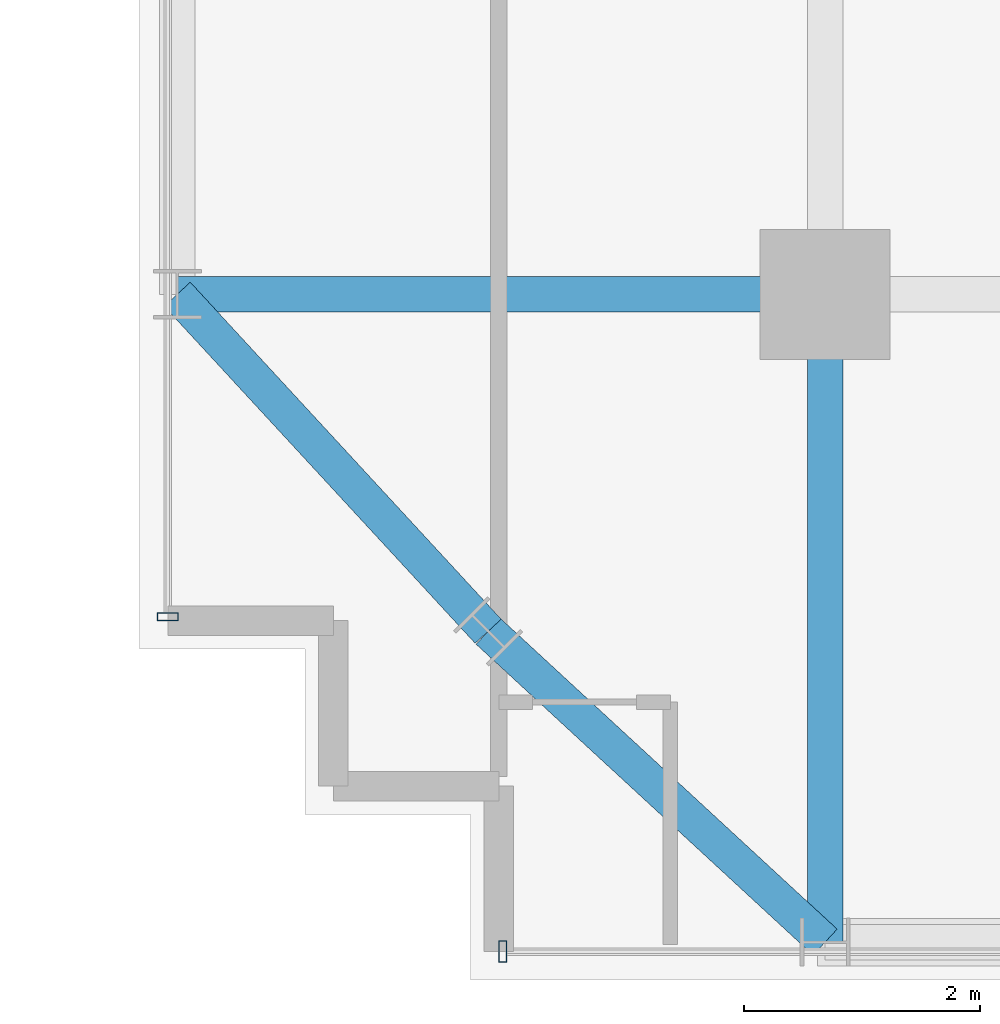
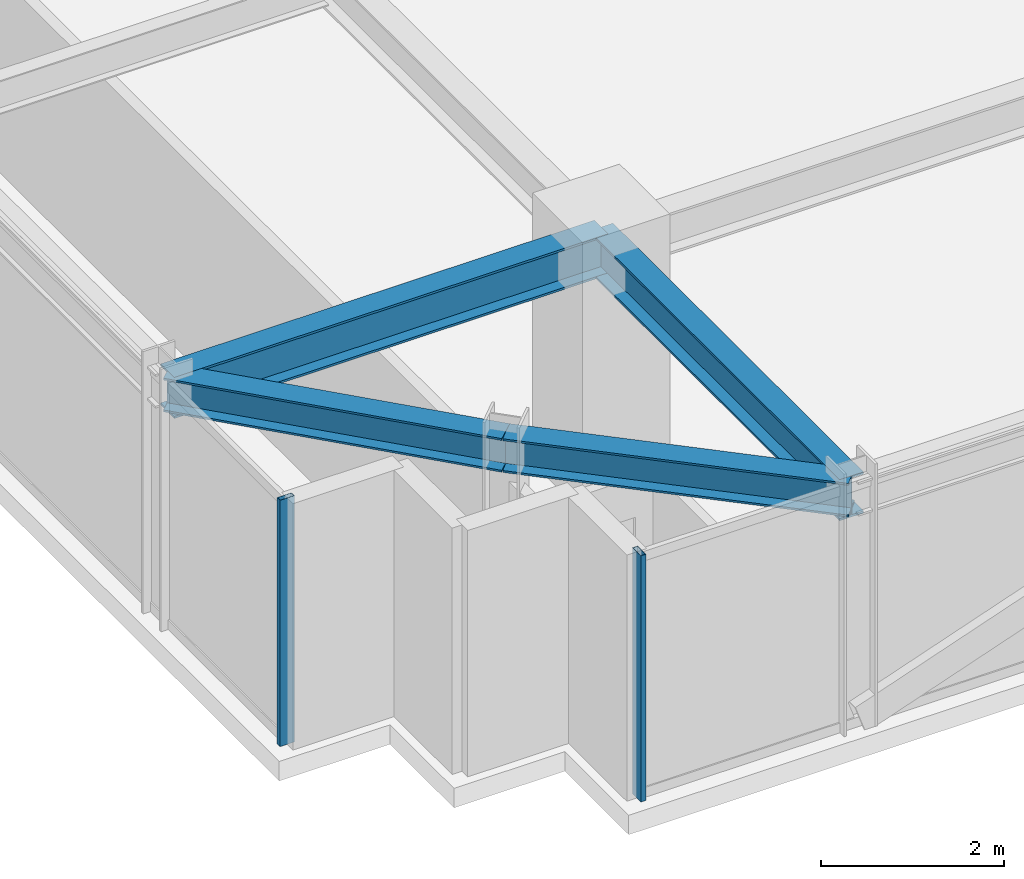
# One storey, part 2 of 32: 4 beams, 2 members, 2 elements without a shape of their own.
"""IFC4 building model written with IfcOpenShell, lengths in metres."""

import ifcopenshell
import ifcopenshell.guid

model = None  # the IFC model being written
_history = None  # IfcOwnerHistory: only IFC2X3 demands one
_inside = {}  # id of a spatial element -> (the spatial element, [elements in it])
_under = {}  # id of a project, library or spatial element -> (it, [spatial elements below it])
_declared = {}  # id of a project -> (the project, [libraries it declares])
_typed = {}  # id of a type object -> (the type object, [elements of that type])
_made_of = {}  # id of a material, layer set ... -> (it, [elements and type objects made of it])


def new_model(schema):
    """Start an empty IFC model of exactly this schema.

    Asked for "IFC4X3", IfcOpenShell would pick the latest addendum, in which some entities
    have other attributes; the version numbers below select the first issue.
    IFC2X3 requires an IfcOwnerHistory on every rooted entity: one is made here for all.
    """
    global model, _history
    if schema == "IFC4X3":
        model = ifcopenshell.file(schema_version=(4, 3, 0, 0))
    else:
        model = ifcopenshell.file(schema=schema)
    _inside.clear()
    _under.clear()
    _declared.clear()
    _typed.clear()
    _made_of.clear()
    _history = None
    if model.schema == "IFC2X3":
        org = make("IfcOrganization", Name="unknown")
        user = make(
            "IfcPersonAndOrganization",
            ThePerson=make("IfcPerson", FamilyName="unknown"),
            TheOrganization=org,
        )
        app = make(
            "IfcApplication",
            ApplicationDeveloper=org,
            Version="unknown",
            ApplicationFullName="unknown",
            ApplicationIdentifier="unknown",
        )
        _history = make(
            "IfcOwnerHistory",
            OwningUser=user,
            OwningApplication=app,
            ChangeAction="ADDED",
            CreationDate=0,
        )
    return model


def make(cls, **values):
    """One entity of the class cls with the attributes given. An attribute that is None is left unset."""
    return model.create_entity(
        cls, **{name: value for name, value in values.items() if value is not None}
    )


def rooted(cls, **values):
    """An entity with a GlobalId (a new one), such as an element, a storey or a relation."""
    return make(cls, GlobalId=ifcopenshell.guid.new(), OwnerHistory=_history, **values)


def si_unit(unit_type, name, prefix=None):
    """IfcSIUnit, for example si_unit("LENGTHUNIT", "METRE", prefix="MILLI")."""
    return make("IfcSIUnit", UnitType=unit_type, Prefix=prefix, Name=name)


def assignment(units):
    """IfcUnitAssignment: the units of a project."""
    return None if units is None else make("IfcUnitAssignment", Units=units)


def point(xyz):
    """IfcCartesianPoint."""
    return None if xyz is None else make("IfcCartesianPoint", Coordinates=xyz)


def direction(xyz):
    """IfcDirection."""
    return None if xyz is None else make("IfcDirection", DirectionRatios=xyz)


def frame(location, z_axis=None, x_axis=None):
    """IfcAxis2Placement3D, a coordinate frame: its origin and axes. An axis left out is left unset."""
    return make(
        "IfcAxis2Placement3D",
        Location=point(location),
        Axis=direction(z_axis),
        RefDirection=direction(x_axis),
    )


def frame_2d(location, x_axis=None):
    """IfcAxis2Placement2D, a coordinate frame in the plane: its origin and x axis."""
    return make(
        "IfcAxis2Placement2D", Location=point(location), RefDirection=direction(x_axis)
    )


def origin():
    """The frame at (0, 0, 0) with its axes left unset."""
    return frame((0.0, 0.0, 0.0))


def origin_2d():
    """The frame at (0, 0) in the plane with its x axis left unset."""
    return frame_2d((0.0, 0.0))


def place(relative_to, where):
    """IfcLocalPlacement: puts the frame where relative to a parent placement (None: the world)."""
    return make(
        "IfcLocalPlacement", PlacementRelTo=relative_to, RelativePlacement=where
    )


def context(
    kind, dimensions, precision=None, world=None, true_north=None, identifier=None
):
    """IfcGeometricRepresentationContext, for example the 3D "Model" context."""
    return make(
        "IfcGeometricRepresentationContext",
        ContextIdentifier=identifier,
        ContextType=kind,
        CoordinateSpaceDimension=dimensions,
        Precision=precision,
        WorldCoordinateSystem=world,
        TrueNorth=true_north,
    )


def subcontext(parent, identifier, kind, view, scale=None):
    """IfcGeometricRepresentationSubContext, for example "Body" below "Model"."""
    return make(
        "IfcGeometricRepresentationSubContext",
        ContextIdentifier=identifier,
        ContextType=kind,
        ParentContext=parent,
        TargetScale=scale,
        TargetView=view,
    )


def project(units=None, contexts=None):
    """IfcProject with its units and contexts."""
    return rooted(
        "IfcProject",
        Name="project",
        RepresentationContexts=contexts,
        UnitsInContext=assignment(units),
    )


def spatial(cls, under=None, at=None, **own):
    """A site, building, storey or space (cls), placed at a placement, below another one or the project."""
    s = rooted(cls, ObjectPlacement=at, **own)
    if under is not None:
        _under.setdefault(under.id(), (under, []))[1].append(s)
    return s


def profile(cls, at=None, kind="AREA", **sizes):
    """A parametric profile (cls). Its sizes go by their IFC names, for example OverallWidth=200.0."""
    return make(cls, ProfileType=kind, Position=at, **sizes)


def hollow_rectangle(**sizes):
    """IfcRectangleHollowProfileDef."""
    return profile("IfcRectangleHollowProfileDef", **sizes)


def i_section(**sizes):
    """IfcIShapeProfileDef."""
    return profile("IfcIShapeProfileDef", **sizes)


def extrude(swept, where, along, depth):
    """IfcExtrudedAreaSolid: the profile swept, set in the frame where, extruded along a direction by depth."""
    return make(
        "IfcExtrudedAreaSolid",
        SweptArea=swept,
        Position=where,
        ExtrudedDirection=direction(along),
        Depth=depth,
    )


def shape(context_of_items, identifier, shape_type, items):
    """IfcShapeRepresentation: the items that make up one representation, for example the "Body"."""
    return make(
        "IfcShapeRepresentation",
        ContextOfItems=context_of_items,
        RepresentationIdentifier=identifier,
        RepresentationType=shape_type,
        Items=items,
    )


def source(mapping_origin, context_of_items, identifier, shape_type, items):
    """IfcRepresentationMap: a shape defined once, which mapped items show again and again."""
    return make(
        "IfcRepresentationMap",
        MappingOrigin=mapping_origin,
        MappedRepresentation=shape(context_of_items, identifier, shape_type, items),
    )


def transform(
    local_origin,
    x_axis=None,
    y_axis=None,
    z_axis=None,
    scale=None,
    scale2=None,
    scale3=None,
    uniform=True,
):
    """IfcCartesianTransformationOperator3D, or its non-uniform kind. x_axis, y_axis, z_axis: its Axis1, 2, 3."""
    if uniform:
        return make(
            "IfcCartesianTransformationOperator3D",
            Axis1=direction(x_axis),
            Axis2=direction(y_axis),
            LocalOrigin=point(local_origin),
            Scale=scale,
            Axis3=direction(z_axis),
        )
    return make(
        "IfcCartesianTransformationOperator3DnonUniform",
        Axis1=direction(x_axis),
        Axis2=direction(y_axis),
        LocalOrigin=point(local_origin),
        Scale=scale,
        Axis3=direction(z_axis),
        Scale2=scale2,
        Scale3=scale3,
    )


def mapped(mapping_source, mapping_target):
    """IfcMappedItem: shows the shape of a source again, moved by a transform."""
    return make(
        "IfcMappedItem", MappingSource=mapping_source, MappingTarget=mapping_target
    )


def material(Name=None, Category=None):
    """IfcMaterial."""
    return make("IfcMaterial", Name=Name, Category=Category)


def material_profile(
    of_material, cross_section, Name=None, Category=None, Priority=None
):
    """IfcMaterialProfile: a cross section and its material."""
    return make(
        "IfcMaterialProfile",
        Name=Name,
        Material=of_material,
        Profile=cross_section,
        Priority=Priority,
        Category=Category,
    )


def profile_set(profiles, Name=None, composite=None):
    """IfcMaterialProfileSet."""
    return make(
        "IfcMaterialProfileSet",
        Name=Name,
        MaterialProfiles=profiles,
        CompositeProfile=composite,
    )


def made_of(thing, what):
    """Note that an element or type object is made of a material, layer set ...; save() writes the relation."""
    if what is not None:
        _made_of.setdefault(what.id(), (what, []))[1].append(thing)
    return thing


def type_object(cls, material=None, **own):
    """A type object (cls), such as IfcWallType, which elements share."""
    return made_of(rooted(cls, **own), material)


def element(
    cls,
    number,
    at=None,
    inside=None,
    cuts=None,
    type_object=None,
    material=None,
    context=None,
    identifier="Body",
    shape_type=None,
    held_by="IfcProductDefinitionShape",
    body=None,
    shapes=None,
    **own,
):
    """One element of the class cls, such as IfcWall. Its Tag is "e" and its number.

    at: its placement. inside: the storey or other place that contains it. cuts: it is an
    opening in that element (IfcRelVoidsElement). A single representation is given by context,
    identifier, shape_type and body (its items); several are given by shapes. held_by: the class
    of the entity that holds the representations. save() writes the other relations.
    """
    e = rooted(cls, Tag="e%d" % number, ObjectPlacement=at, **own)
    if body is not None:
        shapes = [shape(context, identifier, shape_type, body)]
    if shapes is not None:
        e.Representation = make(held_by, Representations=shapes)
    if inside is not None:
        _inside.setdefault(inside.id(), (inside, []))[1].append(e)
    if cuts is not None:
        rooted(
            "IfcRelVoidsElement", RelatingBuildingElement=cuts, RelatedOpeningElement=e
        )
    if type_object is not None:
        _typed.setdefault(type_object.id(), (type_object, []))[1].append(e)
    return made_of(e, material)


def aggregate(whole, parts):
    """IfcRelAggregates: a whole, such as a stair, and the parts it consists of."""
    return rooted("IfcRelAggregates", RelatingObject=whole, RelatedObjects=parts)


def save(model, path):
    """Write the relations noted so far, then the file.

    IfcRelAggregates (storeys below a building ...), IfcRelContainedInSpatialStructure (elements
    in a storey), IfcRelDefinesByType, IfcRelAssociatesMaterial and IfcRelDeclares: one each for
    every whole, place, type object, material and project.
    """
    for whole, parts in _under.values():
        aggregate(whole, parts)
    for where, things in _inside.values():
        rooted(
            "IfcRelContainedInSpatialStructure",
            RelatedElements=things,
            RelatingStructure=where,
        )
    for kind, things in _typed.values():
        rooted("IfcRelDefinesByType", RelatedObjects=things, RelatingType=kind)
    for what, things in _made_of.values():
        rooted("IfcRelAssociatesMaterial", RelatedObjects=things, RelatingMaterial=what)
    for by, libraries in _declared.values():
        rooted("IfcRelDeclares", RelatingContext=by, RelatedDefinitions=libraries)
    model.write(path)


model = new_model("IFC4")

# Units and contexts
model_context = context("Model", 3, precision=1e-05, world=origin(), true_north=direction((0.0, 1.0)))
body_context = subcontext(model_context, "Body", "Model", "MODEL_VIEW")
ifc_project = project(units=[si_unit("LENGTHUNIT", "METRE"), si_unit("AREAUNIT", "SQUARE_METRE"), si_unit("VOLUMEUNIT", "CUBIC_METRE"), si_unit("PLANEANGLEUNIT", "RADIAN"), si_unit("MASSUNIT", "GRAM", prefix="KILO")], contexts=[model_context])

# Site, building, storey
site_placement = place(None, origin())
site = spatial("IfcSite", under=ifc_project, at=site_placement, CompositionType="ELEMENT")
building_placement = place(site_placement, origin())
building = spatial("IfcBuilding", under=site, at=building_placement, Name="Nahalor Promenade Grand Hotel", CompositionType="ELEMENT")
storey_placement = place(building_placement, frame((0.0, 0.0, 196.449951171875)))
storey = spatial("IfcBuildingStorey", under=building, at=storey_placement, Name="L50", CompositionType="ELEMENT", Elevation=196.449951171875)

# Beams
ifc_material_1 = material(Name="Steel S355JR", Category="steel")
ifc_material_profile_1 = material_profile(ifc_material_1, i_section(OverallWidth=0.3, OverallDepth=0.55, WebThickness=0.015, FlangeThickness=0.029, at=origin_2d()), Name="HEB 550")
ifc_profile_set_1 = profile_set([ifc_material_profile_1], Name="Steel S355JR")
beam_type_1 = type_object("IfcBeamType", Name="Beam-Girder-HEB550", PredefinedType="BEAM", material=ifc_profile_set_1)
shared_shape_1 = source(origin(), body_context, "Body", "SweptSolid", [
    extrude(i_section(OverallWidth=0.3, OverallDepth=0.55, WebThickness=0.015, FlangeThickness=0.029, at=origin_2d()), origin(), (0.0, 0.0, 1.0), 5.47998046875),
])
for number, where, z_axis, x_axis, name in (
    (1, (-22.47998046875, -17.0, 3.01513671875), (1.0, 0.0, 0.0), (0.0, 1.0, 0.0), "BM-L50-GX-0-0"),
    (2, (-17.0, -22.47998046875, 3.01513671875), (0.0, 1.0, 0.0), (-1.0, 0.0, 0.0), "BM-L50-GY-0-0"),
):
    element("IfcBeam", number, at=place(storey_placement, frame(where, z_axis=z_axis, x_axis=x_axis)), inside=storey, type_object=beam_type_1, Name=name, PredefinedType="BEAM", context=body_context, shape_type="MappedRepresentation", body=[
        mapped(shared_shape_1, transform((0.0, 0.0, 0.0), scale=1.0)),
    ])
ifc_material_profile_2 = material_profile(ifc_material_1, i_section(OverallWidth=0.3, OverallDepth=0.45, WebThickness=0.014, FlangeThickness=0.026, at=origin_2d()), Name="HEB 450")
ifc_profile_set_2 = profile_set([ifc_material_profile_2], Name="Steel S355JR")
beam_type_2 = type_object("IfcBeamType", Name="Beam-Spandrel-HEB450", PredefinedType="SPANDREL", material=ifc_profile_set_2)
shared_shape_2 = source(origin(), body_context, "Body", "SweptSolid", [
    extrude(i_section(OverallWidth=0.3, OverallDepth=0.45, WebThickness=0.014, FlangeThickness=0.026, at=origin_2d()), origin(), (0.0, 0.0, 1.0), 3.878173828125),
])
for number, where, z_axis, x_axis, name in (
    (3, (-17.0, -22.47998046875, 3.06494140625), (-0.73492893846, 0.678144125843, 0.0), (-0.678144125843, -0.73492893846, 0.0), "BM-L50-SPC-SW-1"),
    (4, (-19.85009765625, -19.85009765625, 3.06494140625), (-0.678144125843, 0.73492893846, 0.0), (-0.73492893846, -0.678144125843, 0.0), "BM-L50-SPC-SW-2"),
):
    element("IfcBeam", number, at=place(storey_placement, frame(where, z_axis=z_axis, x_axis=x_axis)), inside=storey, type_object=beam_type_2, Name=name, PredefinedType="SPANDREL", context=body_context, shape_type="MappedRepresentation", body=[
        mapped(shared_shape_2, transform((0.0, 0.0, 0.0), scale=1.0)),
    ])

# Curtain wall, member
ifc_material_2 = material(Name="Anodised Bronze Aluminium EN AW-6063 T6", Category="aluminium")
curtain_wall_type = type_object("IfcCurtainWallType", Name="CW2 Typical Hotel Flush Bronze Unitised Curtain Wall", PredefinedType="USERDEFINED", material=ifc_material_2)
curtain_wall_1_placement = place(storey_placement, origin())
curtain_wall_1 = element("IfcCurtainWall", 5, at=curtain_wall_1_placement, inside=storey, type_object=curtain_wall_type, Name="L50 Curtain Wall CW-L50-S-1", ObjectType="UNITISED_CURTAIN_WALL", PredefinedType="USERDEFINED")
ifc_material_profile_3 = material_profile(ifc_material_2, hollow_rectangle(XDim=0.065, YDim=0.18, WallThickness=0.004, at=origin_2d()), Name="CWM 65x180x4")
ifc_profile_set_3 = profile_set([ifc_material_profile_3], Name="Anodised Bronze Aluminium EN AW-6063 T6")
member_type = type_object("IfcMemberType", Name="CWM2 Typical Bronze Mullion 65x180", PredefinedType="MULLION", material=ifc_profile_set_3)
shared_shape_3 = source(origin(), body_context, "Body", "SweptSolid", [
    extrude(hollow_rectangle(XDim=0.065, YDim=0.18, WallThickness=0.004, at=origin_2d()), origin(), (0.0, 0.0, 1.0), 3.2900390625),
])
member_1_placement = place(storey_placement, frame((-19.7275390625, -22.56005859375, 0.0), z_axis=(0.0, 0.0, 1.0), x_axis=(1.0, 0.0, 0.0)))
member_1 = element("IfcMember", 6, at=member_1_placement, type_object=member_type, Name="CW-L50-S-1 Mullion 0", PredefinedType="MULLION", context=body_context, shape_type="MappedRepresentation", body=[
    mapped(shared_shape_3, transform((0.0, 0.0, 0.0), scale=1.0)),
])
aggregate(curtain_wall_1, [member_1])

curtain_wall_2_placement = place(storey_placement, origin())
curtain_wall_2 = element("IfcCurtainWall", 7, at=curtain_wall_2_placement, inside=storey, type_object=curtain_wall_type, Name="L50 Curtain Wall CW-L50-W-1", ObjectType="UNITISED_CURTAIN_WALL", PredefinedType="USERDEFINED")
member_2_placement = place(storey_placement, frame((-22.56005859375, -19.7275390625, 0.0), z_axis=(0.0, 0.0, 1.0), x_axis=(0.0, 1.0, 0.0)))
member_2 = element("IfcMember", 8, at=member_2_placement, type_object=member_type, Name="CW-L50-W-1 Mullion 0", PredefinedType="MULLION", context=body_context, shape_type="MappedRepresentation", body=[
    mapped(shared_shape_3, transform((0.0, 0.0, 0.0), scale=1.0)),
])
aggregate(curtain_wall_2, [member_2])

save(model, "model.ifc")
